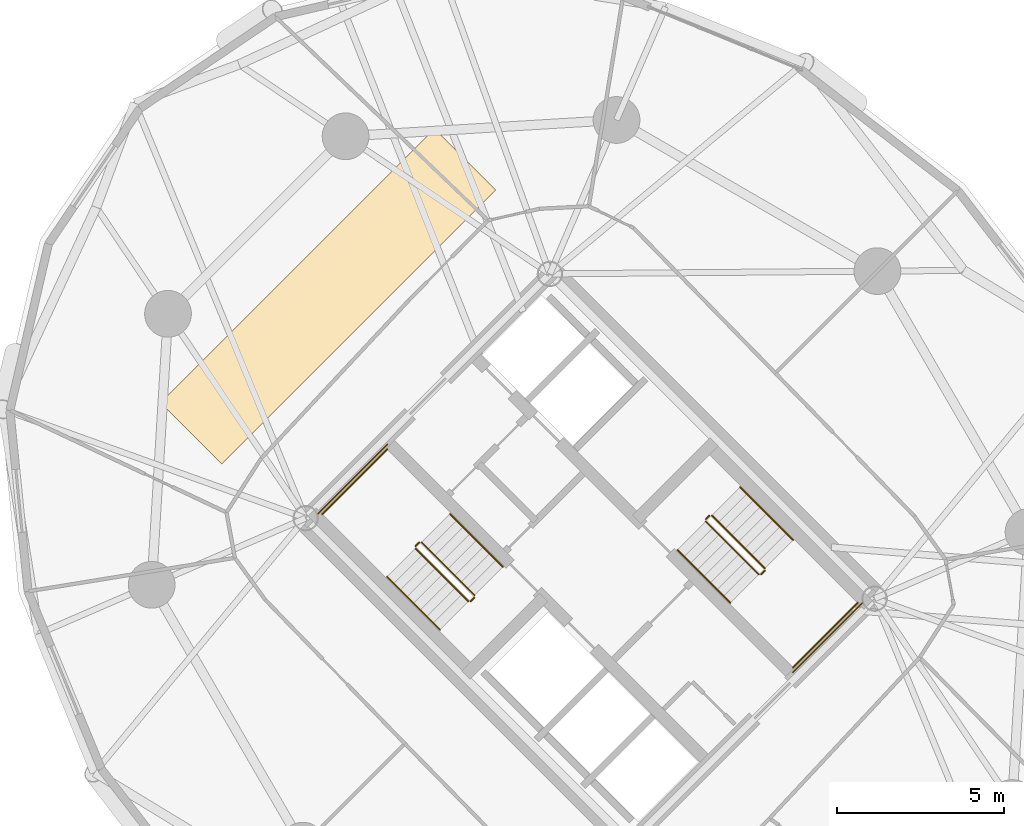
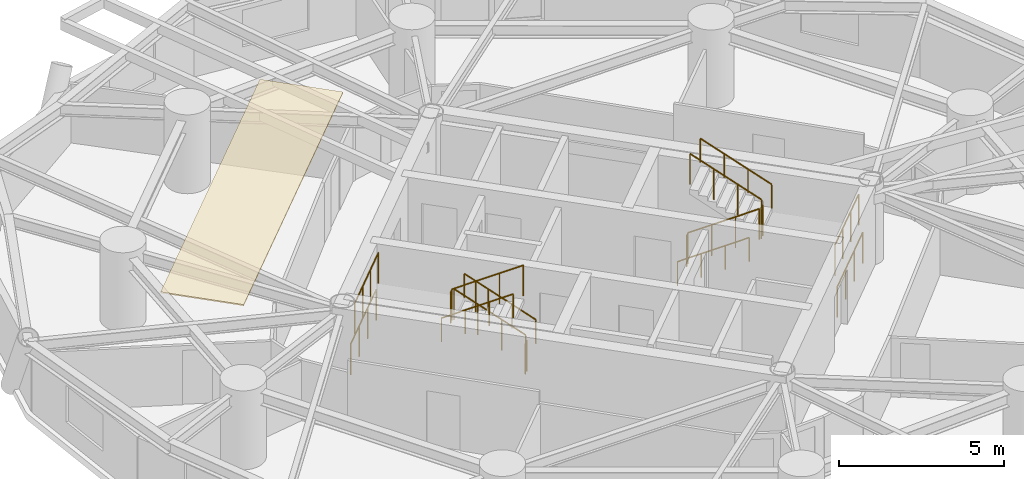
# One storey, part 16 of 16: 16 railings, 1 covering.
"""IFC4 building model written with IfcOpenShell, lengths in metres."""

from ifc_helpers import new_model, si_unit, direction, frame, origin, origin_2d, place, context, subcontext, project, spatial, polyline, circle, outline, extrude, material, layer, layer_set, type_object, element, save


model = new_model("IFC4")

# Units and contexts
model_context = context("Model", 3, precision=1e-05, world=origin(), true_north=direction((0.0, 1.0)))
body_context = subcontext(model_context, "Body", "Model", "MODEL_VIEW")
ifc_project = project(units=[si_unit("LENGTHUNIT", "METRE"), si_unit("AREAUNIT", "SQUARE_METRE"), si_unit("VOLUMEUNIT", "CUBIC_METRE"), si_unit("PLANEANGLEUNIT", "RADIAN"), si_unit("MASSUNIT", "GRAM", prefix="KILO")], contexts=[model_context])

# Site, building, storey
site_placement = place(None, origin())
site = spatial("IfcSite", under=ifc_project, at=site_placement, CompositionType="ELEMENT")
building_placement = place(site_placement, origin())
building = spatial("IfcBuilding", under=site, at=building_placement, Name="Cununo Teusaquillo Station Towers", CompositionType="ELEMENT")
storey_placement = place(building_placement, frame((0.0, 0.0, 99.25)))
storey = spatial("IfcBuildingStorey", under=building, at=storey_placement, Name="L31", CompositionType="ELEMENT", Elevation=99.25)

# Covering
ifc_material_1 = material(Name="Mineral-fibre acoustic suspended ceiling tile", Category="finish")
ifc_layer = layer(ifc_material_1, 0.044921875)
ifc_layer_set = layer_set([ifc_layer], Name="Mineral-fibre acoustic suspended ceiling tile")
covering_type = type_object("IfcCoveringType", Name="COV-CEIL-600", PredefinedType="CEILING", material=ifc_layer_set)
covering_placement = place(storey_placement, frame((0.0, 0.0, 2.625)))
element("IfcCovering", 1, at=covering_placement, inside=storey, type_object=covering_type, Name="L31 Tower B Acoustic Ceiling", PredefinedType="CEILING", context=body_context, shape_type="SweptSolid", body=[
    extrude(outline(polyline([(52.8330078125, 37.369384765625), (54.671630859375, 35.531005859375), (46.468994140625, 27.328369140625), (44.630615234375, 29.1669921875), (52.8330078125, 37.369384765625)])), origin(), (0.0, 0.0, 1.0), 0.044921875),
])

# Railings
ifc_material_2 = material(Name="Steel EN 10025-2 S355J2", Category="steel")
railing_type_1 = type_object("IfcRailingType", Name="RL-INT-GUARD", PredefinedType="GUARDRAIL", material=ifc_material_2)
railing_1_placement = place(storey_placement, frame((54.03515625, 23.39697265625, 0.16162109375)))
element("IfcRailing", 2, at=railing_1_placement, inside=storey, type_object=railing_type_1, Name="L31 ST-T2-1 stair guard 1", PredefinedType="GUARDRAIL", context=body_context, shape_type="SweptSolid", body=[
    extrude(circle(Radius=0.02392578125, at=origin_2d()), frame((0.0, 0.0, 1.1259765625), z_axis=(-0.612332353853, 0.612332353853, 0.500098167213), x_axis=(-0.707106781187, -0.707106781187, 0.0)), (0.0, 0.0, 1.0), 2.58642578125),
    extrude(circle(Radius=0.02099609375, at=origin_2d()), origin(), (0.0, 0.0, 1.0), 1.101806640625),
    extrude(circle(Radius=0.02099609375, at=origin_2d()), frame((-0.52783203125, 0.52783203125, 0.43115234375)), (0.0, 0.0, 1.0), 1.101806640625),
    extrude(circle(Radius=0.02099609375, at=origin_2d()), frame((-1.055908203125, 1.055908203125, 0.8623046875)), (0.0, 0.0, 1.0), 1.101806640625),
    extrude(circle(Radius=0.02099609375, at=origin_2d()), frame((-1.583740234375, 1.583740234375, 1.29345703125)), (0.0, 0.0, 1.0), 1.101806640625),
])
railing_2_placement = place(storey_placement, frame((52.380615234375, 24.980712890625, 1.455078125)))
element("IfcRailing", 3, at=railing_2_placement, inside=storey, type_object=railing_type_1, Name="L31 ST-T2-1 stair guard 2", PredefinedType="GUARDRAIL", context=body_context, shape_type="SweptSolid", body=[
    extrude(circle(Radius=0.02392578125, at=origin_2d()), frame((0.0, 0.0, 1.1259765625), z_axis=(-0.7078691598, -0.706343579714, 0.0), x_axis=(0.706343579714, -0.7078691598, 0.0)), (0.0, 0.0, 1.0), 0.159912109375),
    extrude(circle(Radius=0.02099609375, at=origin_2d()), origin(), (0.0, 0.0, 1.0), 1.101806640625),
    extrude(circle(Radius=0.02099609375, at=origin_2d()), frame((-0.11328125, -0.113037109375, 0.0)), (0.0, 0.0, 1.0), 1.101806640625),
])
railing_3_placement = place(storey_placement, frame((51.426025390625, 27.77392578125, 1.455078125)))
element("IfcRailing", 4, at=railing_3_placement, inside=storey, type_object=railing_type_1, Name="L31 ST-T2-1 stair guard 3", PredefinedType="GUARDRAIL", context=body_context, shape_type="SweptSolid", body=[
    extrude(circle(Radius=0.02392578125, at=origin_2d()), frame((0.0, 0.0, 1.1259765625), z_axis=(-0.707106781187, -0.707106781187, 0.0), x_axis=(0.707106781187, -0.707106781187, 0.0)), (0.0, 0.0, 1.0), 2.760009765625),
    extrude(circle(Radius=0.02099609375, at=origin_2d()), origin(), (0.0, 0.0, 1.0), 1.101806640625),
    extrude(circle(Radius=0.02099609375, at=origin_2d()), frame((-0.650634765625, -0.650634765625, 0.0)), (0.0, 0.0, 1.0), 1.101806640625),
    extrude(circle(Radius=0.02099609375, at=origin_2d()), frame((-1.301025390625, -1.301025390625, 0.0)), (0.0, 0.0, 1.0), 1.101806640625),
    extrude(circle(Radius=0.02099609375, at=origin_2d()), frame((-1.95166015625, -1.95166015625, 0.0)), (0.0, 0.0, 1.0), 1.101806640625),
])
railing_4_placement = place(storey_placement, frame((52.267333984375, 24.796875, 1.61669921875)))
element("IfcRailing", 5, at=railing_4_placement, inside=storey, type_object=railing_type_1, Name="L31 ST-T2-1 stair guard 4", PredefinedType="GUARDRAIL", context=body_context, shape_type="SweptSolid", body=[
    extrude(circle(Radius=0.02392578125, at=origin_2d()), frame((0.0, 0.0, 1.1259765625), z_axis=(0.612420254088, -0.612325861324, 0.499998471934), x_axis=(0.707052281454, 0.707161276719, 0.0)), (0.0, 0.0, 1.0), 2.58642578125),
    extrude(circle(Radius=0.02099609375, at=origin_2d()), origin(), (0.0, 0.0, 1.0), 1.101806640625),
    extrude(circle(Radius=0.02099609375, at=origin_2d()), frame((0.528076171875, -0.52783203125, 0.43115234375)), (0.0, 0.0, 1.0), 1.101806640625),
    extrude(circle(Radius=0.02099609375, at=origin_2d()), frame((1.055908203125, -1.055908203125, 0.862060546875)), (0.0, 0.0, 1.0), 1.101806640625),
    extrude(circle(Radius=0.02099609375, at=origin_2d()), frame((1.583984375, -1.583740234375, 1.293212890625)), (0.0, 0.0, 1.0), 1.101806640625),
])
railing_5_placement = place(storey_placement, frame((54.03515625, 23.326171875, 0.0)))
element("IfcRailing", 6, at=railing_5_placement, inside=storey, type_object=railing_type_1, Name="L31 ST-T2-1 stair guard 5", PredefinedType="GUARDRAIL", context=body_context, shape_type="SweptSolid", body=[
    extrude(circle(Radius=0.02392578125, at=origin_2d()), frame((0.0, 0.0, 1.1259765625), z_axis=(-0.707106781187, -0.707106781187, 0.0), x_axis=(0.707106781187, -0.707106781187, 0.0)), (0.0, 0.0, 1.0), 0.159912109375),
    extrude(circle(Radius=0.02099609375, at=origin_2d()), origin(), (0.0, 0.0, 1.0), 1.101806640625),
    extrude(circle(Radius=0.02099609375, at=origin_2d()), frame((-0.113037109375, -0.113037109375, 0.0)), (0.0, 0.0, 1.0), 1.101806640625),
])
railing_6_placement = place(storey_placement, frame((51.426025390625, 27.915283203125, 0.0)))
element("IfcRailing", 7, at=railing_6_placement, inside=storey, type_object=railing_type_1, Name="L31 ST-T2-1 stair guard 6", PredefinedType="GUARDRAIL", context=body_context, shape_type="SweptSolid", body=[
    extrude(circle(Radius=0.02392578125, at=origin_2d()), frame((0.0, 0.0, 1.1259765625), z_axis=(-0.707106781187, -0.707106781187, 0.0), x_axis=(0.707106781187, -0.707106781187, 0.0)), (0.0, 0.0, 1.0), 2.9599609375),
    extrude(circle(Radius=0.02099609375, at=origin_2d()), origin(), (0.0, 0.0, 1.0), 1.101806640625),
    extrude(circle(Radius=0.02099609375, at=origin_2d()), frame((-0.69775390625, -0.69775390625, 0.0)), (0.0, 0.0, 1.0), 1.101806640625),
    extrude(circle(Radius=0.02099609375, at=origin_2d()), frame((-1.395263671875, -1.395263671875, 0.0)), (0.0, 0.0, 1.0), 1.101806640625),
    extrude(circle(Radius=0.02099609375, at=origin_2d()), frame((-2.093017578125, -2.093017578125, 0.0)), (0.0, 0.0, 1.0), 1.101806640625),
])
railing_7_placement = place(storey_placement, frame((60.96484375, 25.60302734375, 0.16162109375)))
element("IfcRailing", 8, at=railing_7_placement, inside=storey, type_object=railing_type_1, Name="L31 ST-T2-2 stair guard 1", PredefinedType="GUARDRAIL", context=body_context, shape_type="SweptSolid", body=[
    extrude(circle(Radius=0.02392578125, at=origin_2d()), frame((0.0, 0.0, 1.1259765625), z_axis=(0.612332353853, -0.612332353853, 0.500098167213), x_axis=(0.707106781187, 0.707106781187, 0.0)), (0.0, 0.0, 1.0), 2.58642578125),
    extrude(circle(Radius=0.02099609375, at=origin_2d()), origin(), (0.0, 0.0, 1.0), 1.101806640625),
    extrude(circle(Radius=0.02099609375, at=origin_2d()), frame((0.52783203125, -0.52783203125, 0.43115234375)), (0.0, 0.0, 1.0), 1.101806640625),
    extrude(circle(Radius=0.02099609375, at=origin_2d()), frame((1.055908203125, -1.055908203125, 0.8623046875)), (0.0, 0.0, 1.0), 1.101806640625),
    extrude(circle(Radius=0.02099609375, at=origin_2d()), frame((1.583740234375, -1.583740234375, 1.29345703125)), (0.0, 0.0, 1.0), 1.101806640625),
])
railing_8_placement = place(storey_placement, frame((62.619384765625, 24.019287109375, 1.455078125)))
element("IfcRailing", 9, at=railing_8_placement, inside=storey, type_object=railing_type_1, Name="L31 ST-T2-2 stair guard 2", PredefinedType="GUARDRAIL", context=body_context, shape_type="SweptSolid", body=[
    extrude(circle(Radius=0.02392578125, at=origin_2d()), frame((0.0, 0.0, 1.1259765625), z_axis=(0.7078691598, 0.706343579714, 0.0), x_axis=(-0.706343579714, 0.7078691598, 0.0)), (0.0, 0.0, 1.0), 0.159912109375),
    extrude(circle(Radius=0.02099609375, at=origin_2d()), origin(), (0.0, 0.0, 1.0), 1.101806640625),
    extrude(circle(Radius=0.02099609375, at=origin_2d()), frame((0.11328125, 0.113037109375, 0.0)), (0.0, 0.0, 1.0), 1.101806640625),
])
railing_9_placement = place(storey_placement, frame((63.573974609375, 21.22607421875, 1.455078125)))
element("IfcRailing", 10, at=railing_9_placement, inside=storey, type_object=railing_type_1, Name="L31 ST-T2-2 stair guard 3", PredefinedType="GUARDRAIL", context=body_context, shape_type="SweptSolid", body=[
    extrude(circle(Radius=0.02392578125, at=origin_2d()), frame((0.0, 0.0, 1.1259765625), z_axis=(0.707106781187, 0.707106781187, 0.0), x_axis=(-0.707106781187, 0.707106781187, 0.0)), (0.0, 0.0, 1.0), 2.760009765625),
    extrude(circle(Radius=0.02099609375, at=origin_2d()), origin(), (0.0, 0.0, 1.0), 1.101806640625),
    extrude(circle(Radius=0.02099609375, at=origin_2d()), frame((0.650634765625, 0.650634765625, 0.0)), (0.0, 0.0, 1.0), 1.101806640625),
    extrude(circle(Radius=0.02099609375, at=origin_2d()), frame((1.301025390625, 1.301025390625, 0.0)), (0.0, 0.0, 1.0), 1.101806640625),
    extrude(circle(Radius=0.02099609375, at=origin_2d()), frame((1.95166015625, 1.95166015625, 0.0)), (0.0, 0.0, 1.0), 1.101806640625),
])
railing_10_placement = place(storey_placement, frame((62.732666015625, 24.203125, 1.61669921875)))
element("IfcRailing", 11, at=railing_10_placement, inside=storey, type_object=railing_type_1, Name="L31 ST-T2-2 stair guard 4", PredefinedType="GUARDRAIL", context=body_context, shape_type="SweptSolid", body=[
    extrude(circle(Radius=0.02392578125, at=origin_2d()), frame((0.0, 0.0, 1.1259765625), z_axis=(-0.612420254088, 0.612325861324, 0.499998471934), x_axis=(-0.707052281454, -0.707161276719, 0.0)), (0.0, 0.0, 1.0), 2.58642578125),
    extrude(circle(Radius=0.02099609375, at=origin_2d()), origin(), (0.0, 0.0, 1.0), 1.101806640625),
    extrude(circle(Radius=0.02099609375, at=origin_2d()), frame((-0.528076171875, 0.52783203125, 0.43115234375)), (0.0, 0.0, 1.0), 1.101806640625),
    extrude(circle(Radius=0.02099609375, at=origin_2d()), frame((-1.055908203125, 1.055908203125, 0.862060546875)), (0.0, 0.0, 1.0), 1.101806640625),
    extrude(circle(Radius=0.02099609375, at=origin_2d()), frame((-1.583984375, 1.583740234375, 1.293212890625)), (0.0, 0.0, 1.0), 1.101806640625),
])
railing_11_placement = place(storey_placement, frame((60.96484375, 25.673828125, 0.0)))
element("IfcRailing", 12, at=railing_11_placement, inside=storey, type_object=railing_type_1, Name="L31 ST-T2-2 stair guard 5", PredefinedType="GUARDRAIL", context=body_context, shape_type="SweptSolid", body=[
    extrude(circle(Radius=0.02392578125, at=origin_2d()), frame((0.0, 0.0, 1.1259765625), z_axis=(0.707106781187, 0.707106781187, 0.0), x_axis=(-0.707106781187, 0.707106781187, 0.0)), (0.0, 0.0, 1.0), 0.159912109375),
    extrude(circle(Radius=0.02099609375, at=origin_2d()), origin(), (0.0, 0.0, 1.0), 1.101806640625),
    extrude(circle(Radius=0.02099609375, at=origin_2d()), frame((0.113037109375, 0.113037109375, 0.0)), (0.0, 0.0, 1.0), 1.101806640625),
])
railing_12_placement = place(storey_placement, frame((63.573974609375, 21.084716796875, 0.0)))
element("IfcRailing", 13, at=railing_12_placement, inside=storey, type_object=railing_type_1, Name="L31 ST-T2-2 stair guard 6", PredefinedType="GUARDRAIL", context=body_context, shape_type="SweptSolid", body=[
    extrude(circle(Radius=0.02392578125, at=origin_2d()), frame((0.0, 0.0, 1.1259765625), z_axis=(0.707106781187, 0.707106781187, 0.0), x_axis=(-0.707106781187, 0.707106781187, 0.0)), (0.0, 0.0, 1.0), 2.9599609375),
    extrude(circle(Radius=0.02099609375, at=origin_2d()), origin(), (0.0, 0.0, 1.0), 1.101806640625),
    extrude(circle(Radius=0.02099609375, at=origin_2d()), frame((0.69775390625, 0.69775390625, 0.0)), (0.0, 0.0, 1.0), 1.101806640625),
    extrude(circle(Radius=0.02099609375, at=origin_2d()), frame((1.395263671875, 1.395263671875, 0.0)), (0.0, 0.0, 1.0), 1.101806640625),
    extrude(circle(Radius=0.02099609375, at=origin_2d()), frame((2.093017578125, 2.093017578125, 0.0)), (0.0, 0.0, 1.0), 1.101806640625),
])
ifc_material_3 = material(Name="Steel EN 10025-2 S355J2", Category="steel")
railing_type_2 = type_object("IfcRailingType", Name="RL-INT-HRAIL", PredefinedType="HANDRAIL", material=ifc_material_3)
railing_13_placement = place(storey_placement, frame((54.8837890625, 24.245361328125, 0.16162109375)))
element("IfcRailing", 14, at=railing_13_placement, inside=storey, type_object=railing_type_2, Name="L31 ST-T2-1 stair handrail 1", PredefinedType="HANDRAIL", context=body_context, shape_type="SweptSolid", body=[
    extrude(circle(Radius=0.02392578125, at=origin_2d()), frame((0.0, 0.0, 0.8759765625), z_axis=(-0.612355957468, 0.612355957468, 0.500040361077), x_axis=(-0.707106781187, -0.707106781187, 0.0)), (0.0, 0.0, 1.0), 2.586669921875),
    extrude(circle(Radius=0.02099609375, at=origin_2d()), origin(), (0.0, 0.0, 1.0), 0.851806640625),
    extrude(circle(Radius=0.02099609375, at=origin_2d()), frame((-0.528076171875, 0.528076171875, 0.43115234375)), (0.0, 0.0, 1.0), 0.851806640625),
    extrude(circle(Radius=0.02099609375, at=origin_2d()), frame((-1.055908203125, 1.055908203125, 0.8623046875)), (0.0, 0.0, 1.0), 0.851806640625),
    extrude(circle(Radius=0.02099609375, at=origin_2d()), frame((-1.583984375, 1.583984375, 1.29345703125)), (0.0, 0.0, 1.0), 0.851806640625),
])
railing_14_placement = place(storey_placement, frame((51.4189453125, 23.948486328125, 1.61669921875)))
element("IfcRailing", 15, at=railing_14_placement, inside=storey, type_object=railing_type_2, Name="L31 ST-T2-1 stair handrail 2", PredefinedType="HANDRAIL", context=body_context, shape_type="SweptSolid", body=[
    extrude(circle(Radius=0.02392578125, at=origin_2d()), frame((0.0, 0.0, 0.8759765625), z_axis=(0.612384857071, -0.612384857071, 0.499969572735), x_axis=(0.707106781187, 0.707106781187, 0.0)), (0.0, 0.0, 1.0), 2.586669921875),
    extrude(circle(Radius=0.02099609375, at=origin_2d()), origin(), (0.0, 0.0, 1.0), 0.851806640625),
    extrude(circle(Radius=0.02099609375, at=origin_2d()), frame((0.528076171875, -0.528076171875, 0.43115234375)), (0.0, 0.0, 1.0), 0.851806640625),
    extrude(circle(Radius=0.02099609375, at=origin_2d()), frame((1.055908203125, -1.055908203125, 0.862060546875)), (0.0, 0.0, 1.0), 0.851806640625),
    extrude(circle(Radius=0.02099609375, at=origin_2d()), frame((1.583984375, -1.583984375, 1.293212890625)), (0.0, 0.0, 1.0), 0.851806640625),
])
railing_15_placement = place(storey_placement, frame((60.1162109375, 24.754638671875, 0.16162109375)))
element("IfcRailing", 16, at=railing_15_placement, inside=storey, type_object=railing_type_2, Name="L31 ST-T2-2 stair handrail 1", PredefinedType="HANDRAIL", context=body_context, shape_type="SweptSolid", body=[
    extrude(circle(Radius=0.02392578125, at=origin_2d()), frame((0.0, 0.0, 0.8759765625), z_axis=(0.612355957468, -0.612355957468, 0.500040361077), x_axis=(0.707106781187, 0.707106781187, 0.0)), (0.0, 0.0, 1.0), 2.586669921875),
    extrude(circle(Radius=0.02099609375, at=origin_2d()), origin(), (0.0, 0.0, 1.0), 0.851806640625),
    extrude(circle(Radius=0.02099609375, at=origin_2d()), frame((0.528076171875, -0.528076171875, 0.43115234375)), (0.0, 0.0, 1.0), 0.851806640625),
    extrude(circle(Radius=0.02099609375, at=origin_2d()), frame((1.055908203125, -1.055908203125, 0.8623046875)), (0.0, 0.0, 1.0), 0.851806640625),
    extrude(circle(Radius=0.02099609375, at=origin_2d()), frame((1.583984375, -1.583984375, 1.29345703125)), (0.0, 0.0, 1.0), 0.851806640625),
])
railing_16_placement = place(storey_placement, frame((63.5810546875, 25.051513671875, 1.61669921875)))
element("IfcRailing", 17, at=railing_16_placement, inside=storey, type_object=railing_type_2, Name="L31 ST-T2-2 stair handrail 2", PredefinedType="HANDRAIL", context=body_context, shape_type="SweptSolid", body=[
    extrude(circle(Radius=0.02392578125, at=origin_2d()), frame((0.0, 0.0, 0.8759765625), z_axis=(-0.612384857071, 0.612384857071, 0.499969572735), x_axis=(-0.707106781187, -0.707106781187, 0.0)), (0.0, 0.0, 1.0), 2.586669921875),
    extrude(circle(Radius=0.02099609375, at=origin_2d()), origin(), (0.0, 0.0, 1.0), 0.851806640625),
    extrude(circle(Radius=0.02099609375, at=origin_2d()), frame((-0.528076171875, 0.528076171875, 0.43115234375)), (0.0, 0.0, 1.0), 0.851806640625),
    extrude(circle(Radius=0.02099609375, at=origin_2d()), frame((-1.055908203125, 1.055908203125, 0.862060546875)), (0.0, 0.0, 1.0), 0.851806640625),
    extrude(circle(Radius=0.02099609375, at=origin_2d()), frame((-1.583984375, 1.583984375, 1.293212890625)), (0.0, 0.0, 1.0), 0.851806640625),
])

save(model, "model.ifc")
